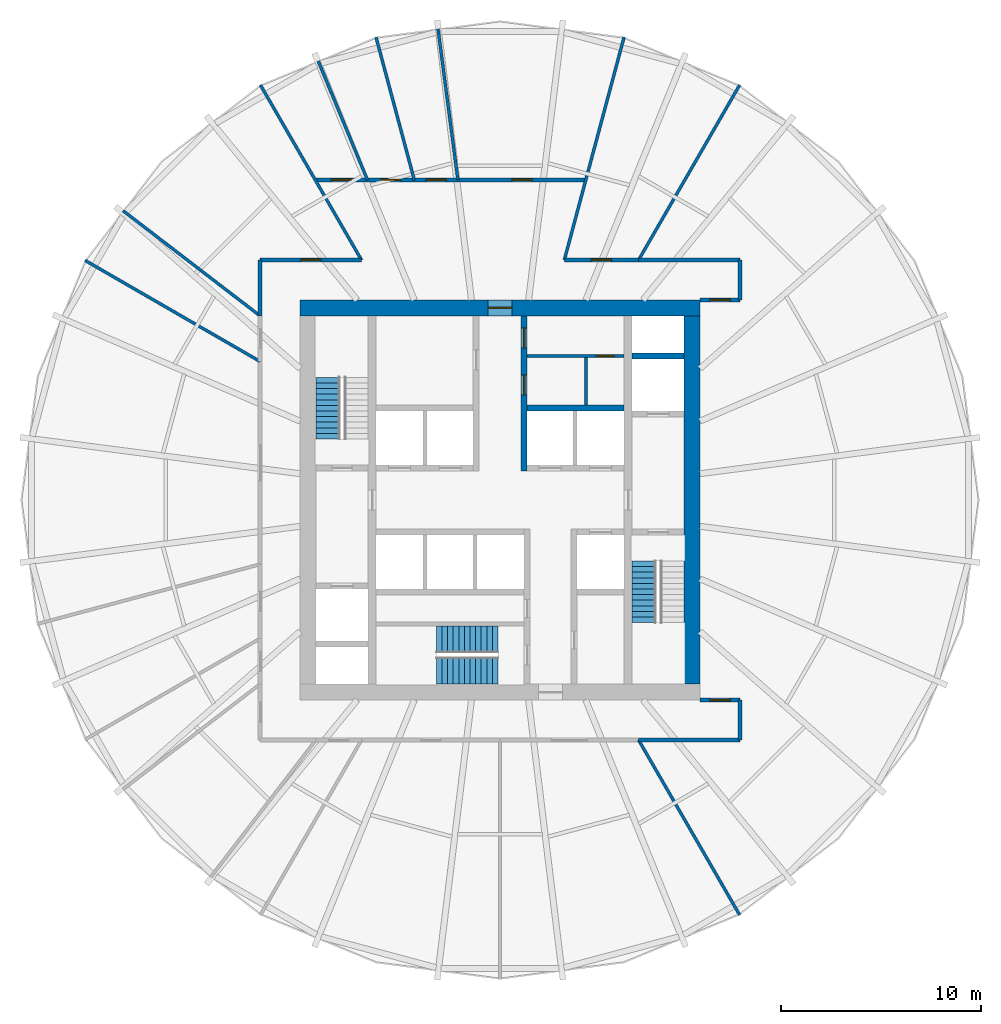
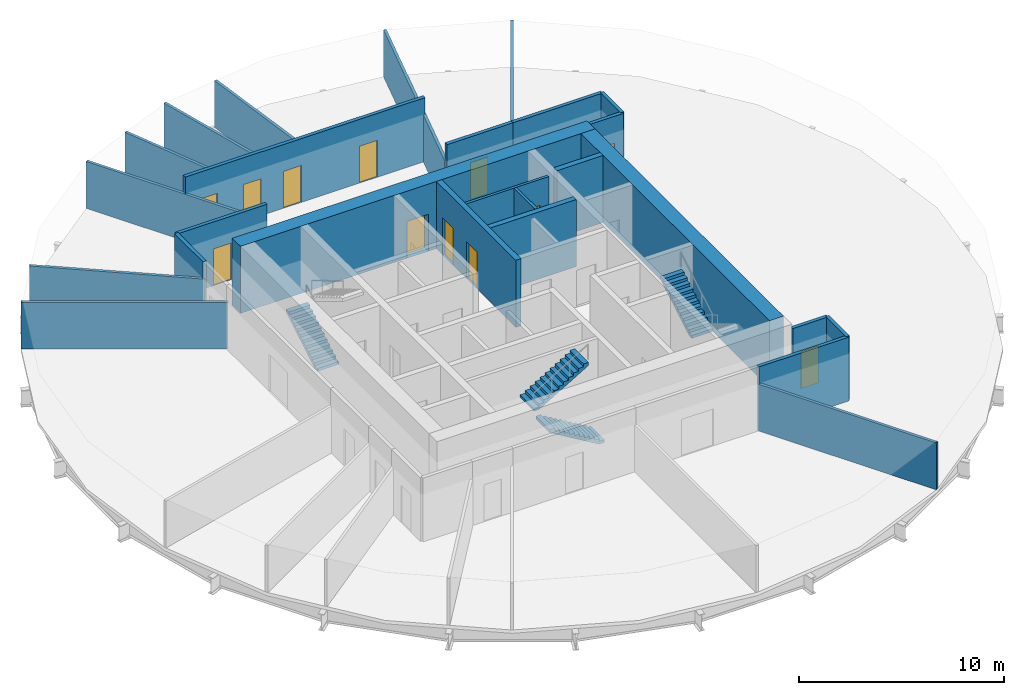
# One storey, part 4 of 6: 26 walls, 12 doors, 4 stair flights, 12 openings, 3 elements without a shape of their own.
"""IFC4 building model written with IfcOpenShell, lengths in metres."""

from ifc_helpers import new_model, si_unit, direction, frame, frame_2d, origin, place, context, subcontext, project, spatial, polyline, rectangle, outline, extrude, material, layer, layer_set, type_object, element, fill, aggregate, save


model = new_model("IFC4")

# Units and contexts
model_context = context("Model", 3, precision=1e-05, world=origin(), true_north=direction((0.0, 1.0)))
body_context = subcontext(model_context, "Body", "Model", "MODEL_VIEW")
ifc_project = project(units=[si_unit("LENGTHUNIT", "METRE"), si_unit("AREAUNIT", "SQUARE_METRE"), si_unit("VOLUMEUNIT", "CUBIC_METRE"), si_unit("PLANEANGLEUNIT", "RADIAN"), si_unit("MASSUNIT", "GRAM", prefix="KILO")], contexts=[model_context])

# Site, building, storey
site_placement = place(None, origin())
site = spatial("IfcSite", under=ifc_project, at=site_placement, CompositionType="ELEMENT")
building_placement = place(site_placement, origin())
building = spatial("IfcBuilding", under=site, at=building_placement, Name="Golbaran Civic Tower", CompositionType="ELEMENT")
storey_placement = place(building_placement, frame((0.0, 0.0, 77.0)))
storey = spatial("IfcBuildingStorey", under=building, at=storey_placement, Name="L18", CompositionType="ELEMENT", Elevation=77.0)

# Wall, opening, door
ifc_material_1 = material(Name="Concrete block", Category="concrete")
ifc_layer_1 = layer(ifc_material_1, 0.14990234375, Name="Concrete block")
ifc_layer_set_1 = layer_set([ifc_layer_1], Name="Concrete block")
wall_type_1 = type_object("IfcWallType", Name="BLOCKWORK PARTITION 150", PredefinedType="PARTITIONING", material=ifc_layer_set_1)
wall_1_placement = place(storey_placement, frame((1.35009765625, 7.199951171875, 0.0), z_axis=(0.0, 0.0, 1.0), x_axis=(1.0, 0.0, 0.0)))
wall_1 = element("IfcWall", 1, at=wall_1_placement, inside=storey, type_object=wall_type_1, Name="Toilet block partition TN1 L18", PredefinedType="PARTITIONING", context=body_context, shape_type="SweptSolid", body=[
    extrude(rectangle(XDim=4.849853515625, YDim=0.14990234375, at=frame_2d((2.4248046875, 0.0))), origin(), (0.0, 0.0, 1.0), 3.75),
])
opening_1_placement = place(wall_1_placement, frame((3.449951171875, 0.0, 0.0)))
opening_1 = element("IfcOpeningElement", 2, at=opening_1_placement, cuts=wall_1, Name="Opening L18.CLN", PredefinedType="OPENING", context=body_context, shape_type="SweptSolid", body=[
    extrude(rectangle(XDim=0.89990234375, YDim=2.199951171875, at=frame_2d((0.449951171875, 1.10009765625))), frame((0.0, 0.0849609375, 0.0), z_axis=(0.0, -1.0, 0.0), x_axis=(1.0, 0.0, 0.0)), (0.0, 0.0, 1.0), 0.169921875),
])
ifc_material_2 = material(Name="Timber door set in steel frame", Category="steel")
door_type_1 = type_object("IfcDoorType", Name="RISER DOOR 900x2200", OperationType="SINGLE_SWING_LEFT", PredefinedType="DOOR", material=ifc_material_2)
door_1_placement = place(opening_1_placement, origin())
door_1 = element("IfcDoor", 3, at=door_1_placement, inside=storey, type_object=door_type_1, Name="Housekeeping Store door", OperationType="SINGLE_SWING_RIGHT", OverallHeight=2.199951171875, OverallWidth=0.89990234375, PredefinedType="DOOR", context=body_context, shape_type="SweptSolid", body=[
    extrude(rectangle(XDim=0.89990234375, YDim=2.199951171875, at=frame_2d((0.449951171875, 1.10009765625))), frame((0.0, 0.02490234375, 0.0), z_axis=(0.0, -1.0, 0.0), x_axis=(1.0, 0.0, 0.0)), (0.0, 0.0, 1.0), 0.050048828125),
])
fill(opening_1, door_1)

# Wall
wall_2_placement = place(storey_placement, frame((4.300048828125, 4.75, 0.0), z_axis=(0.0, 0.0, 1.0), x_axis=(0.0, 1.0, 0.0)))
element("IfcWall", 4, at=wall_2_placement, inside=storey, type_object=wall_type_1, Name="Toilet block partition TN2 L18", PredefinedType="PARTITIONING", context=body_context, shape_type="SweptSolid", body=[
    extrude(rectangle(XDim=2.375, YDim=0.14990234375, at=frame_2d((1.1875, 0.0))), origin(), (0.0, 0.0, 1.0), 3.75),
])

# Wall, opening, door
ifc_material_3 = material(Name="Concrete C50/60", Category="concrete")
ifc_layer_2 = layer(ifc_material_3, 0.800048828125, Name="Concrete C50/60")
ifc_layer_set_2 = layer_set([ifc_layer_2], Name="Concrete C50/60")
wall_type_2 = type_object("IfcWallType", Name="CORE WALL CONCRETE 800", PredefinedType="SOLIDWALL", material=ifc_layer_set_2)
wall_3_placement = place(storey_placement, frame((-10.0, 9.60009765625, 0.0), z_axis=(0.0, 0.0, 1.0), x_axis=(1.0, 0.0, 0.0)))
wall_3 = element("IfcWall", 5, at=wall_3_placement, inside=storey, type_object=wall_type_2, Name="Core wall CN L18", PredefinedType="SOLIDWALL", context=body_context, shape_type="SweptSolid", body=[
    extrude(rectangle(XDim=20.0, YDim=0.800048828125, at=frame_2d((10.0, 0.0))), origin(), (0.0, 0.0, 1.0), 4.0),
])
opening_2_placement = place(wall_3_placement, frame((9.39990234375, 0.0, 0.0)))
opening_2 = element("IfcOpeningElement", 6, at=opening_2_placement, cuts=wall_3, Name="Opening L18.CN", PredefinedType="OPENING", context=body_context, shape_type="SweptSolid", body=[
    extrude(rectangle(XDim=1.199951171875, YDim=2.199951171875, at=frame_2d((0.60009765625, 1.10009765625))), frame((0.0, 0.409912109375, 0.0), z_axis=(0.0, -1.0, 0.0), x_axis=(1.0, 0.0, 0.0)), (0.0, 0.0, 1.0), 0.820068359375),
])
door_type_2 = type_object("IfcDoorType", Name="CORE DOOR 1200x2200", OperationType="DOUBLE_DOOR_SINGLE_SWING", PredefinedType="DOOR", material=ifc_material_2)
door_2_placement = place(opening_2_placement, origin())
door_2 = element("IfcDoor", 7, at=door_2_placement, inside=storey, type_object=door_type_2, Name="Core door north", OperationType="DOUBLE_DOOR_SINGLE_SWING", OverallHeight=2.199951171875, OverallWidth=1.199951171875, PredefinedType="DOOR", context=body_context, shape_type="SweptSolid", body=[
    extrude(rectangle(XDim=1.199951171875, YDim=2.199951171875, at=frame_2d((0.60009765625, 1.10009765625))), frame((0.0, 0.02490234375, 0.0), z_axis=(0.0, -1.0, 0.0), x_axis=(1.0, 0.0, 0.0)), (0.0, 0.0, 1.0), 0.050048828125),
])
fill(opening_2, door_2)

# Walls
wall_4_placement = place(storey_placement, frame((9.60009765625, -9.199951171875, 0.0), z_axis=(0.0, 0.0, 1.0), x_axis=(0.0, 1.0, 0.0)))
element("IfcWall", 8, at=wall_4_placement, inside=storey, type_object=wall_type_2, Name="Core wall CE L18", PredefinedType="SOLIDWALL", context=body_context, shape_type="SweptSolid", body=[
    extrude(rectangle(XDim=18.39990234375, YDim=0.800048828125, at=frame_2d((9.199951171875, 0.0))), origin(), (0.0, 0.0, 1.0), 4.0),
])
ifc_material_4 = material(Name="Gypsum board on steel studs, fire-rated", Category="steel")
ifc_layer_3 = layer(ifc_material_4, 0.199951171875, Name="Gypsum board on steel studs, fire-rated")
ifc_layer_set_3 = layer_set([ifc_layer_3], Name="Gypsum board on steel studs, fire-rated")
wall_type_3 = type_object("IfcWallType", Name="CORRIDOR WALL 200", PredefinedType="PARTITIONING", material=ifc_layer_set_3)
wall_5_placement = place(storey_placement, frame((12.0, 10.0, 0.0), z_axis=(0.0, 0.0, 1.0), x_axis=(0.0, 1.0, 0.0)))
element("IfcWall", 9, at=wall_5_placement, inside=storey, type_object=wall_type_3, Name="Corridor wall L18", PredefinedType="PARTITIONING", context=body_context, shape_type="SweptSolid", body=[
    extrude(rectangle(XDim=2.0, YDim=0.199951171875, at=frame_2d((1.0, 0.0))), origin(), (0.0, 0.0, 1.0), 3.800048828125),
])
wall_6_placement = place(storey_placement, frame((12.0, 12.0, 0.0), z_axis=(0.0, 0.0, 1.0), x_axis=(-1.0, 0.0, 0.0)))
element("IfcWall", 10, at=wall_6_placement, inside=storey, type_object=wall_type_3, Name="Corridor wall L18", PredefinedType="PARTITIONING", context=body_context, shape_type="SweptSolid", body=[
    extrude(rectangle(XDim=5.07177734375, YDim=0.199951171875, at=frame_2d((2.535888671875, 0.0))), origin(), (0.0, 0.0, 1.0), 3.800048828125),
])

# Wall, opening, door
wall_7_placement = place(storey_placement, frame((6.92822265625, 12.0, 0.0), z_axis=(0.0, 0.0, 1.0), x_axis=(-1.0, 0.0, 0.0)))
wall_7 = element("IfcWall", 11, at=wall_7_placement, inside=storey, type_object=wall_type_3, Name="Corridor wall L18", PredefinedType="PARTITIONING", context=body_context, shape_type="SweptSolid", body=[
    extrude(rectangle(XDim=3.712890625, YDim=0.199951171875, at=frame_2d((1.8564453125, 0.0))), origin(), (0.0, 0.0, 1.0), 3.800048828125),
])
opening_3_placement = place(wall_7_placement, frame((1.3564453125, 0.0, 0.0)))
opening_3 = element("IfcOpeningElement", 12, at=opening_3_placement, cuts=wall_7, Name="Opening L18.05", PredefinedType="OPENING", context=body_context, shape_type="SweptSolid", body=[
    extrude(rectangle(XDim=1.0, YDim=2.199951171875, at=frame_2d((0.5, 1.10009765625))), frame((0.0, 0.10986328125, 0.0), z_axis=(0.0, -1.0, 0.0), x_axis=(1.0, 0.0, 0.0)), (0.0, 0.0, 1.0), 0.219970703125),
])
door_type_3 = type_object("IfcDoorType", Name="OFFICE DOOR 1000x2200", OperationType="SINGLE_SWING_LEFT", PredefinedType="DOOR", material=ifc_material_2)
door_3_placement = place(opening_3_placement, origin())
door_3 = element("IfcDoor", 13, at=door_3_placement, inside=storey, type_object=door_type_3, Name="Meeting Room door L18", OperationType="SINGLE_SWING_RIGHT", OverallHeight=2.199951171875, OverallWidth=1.0, PredefinedType="DOOR", context=body_context, shape_type="SweptSolid", body=[
    extrude(rectangle(XDim=1.0, YDim=2.199951171875, at=frame_2d((0.5, 1.10009765625))), frame((0.0, 0.02490234375, 0.0), z_axis=(0.0, -1.0, 0.0), x_axis=(1.0, 0.0, 0.0)), (0.0, 0.0, 1.0), 0.050048828125),
])
fill(opening_3, door_3)

wall_8_placement = place(storey_placement, frame((-6.92822265625, 12.0, 0.0), z_axis=(0.0, 0.0, 1.0), x_axis=(-1.0, 0.0, 0.0)))
wall_8 = element("IfcWall", 14, at=wall_8_placement, inside=storey, type_object=wall_type_3, Name="Corridor wall L18", PredefinedType="PARTITIONING", context=body_context, shape_type="SweptSolid", body=[
    extrude(rectangle(XDim=5.07177734375, YDim=0.199951171875, at=frame_2d((2.535888671875, 0.0))), origin(), (0.0, 0.0, 1.0), 3.800048828125),
])
opening_4_placement = place(wall_8_placement, frame((2.035888671875, 0.0, 0.0)))
opening_4 = element("IfcOpeningElement", 15, at=opening_4_placement, cuts=wall_8, Name="Opening L18.06", PredefinedType="OPENING", context=body_context, shape_type="SweptSolid", body=[
    extrude(rectangle(XDim=1.0, YDim=2.199951171875, at=frame_2d((0.5, 1.10009765625))), frame((0.0, 0.10986328125, 0.0), z_axis=(0.0, -1.0, 0.0), x_axis=(1.0, 0.0, 0.0)), (0.0, 0.0, 1.0), 0.219970703125),
])
door_4_placement = place(opening_4_placement, origin())
door_4 = element("IfcDoor", 16, at=door_4_placement, inside=storey, type_object=door_type_3, Name="Print and Copy Room door L18", OperationType="SINGLE_SWING_RIGHT", OverallHeight=2.199951171875, OverallWidth=1.0, PredefinedType="DOOR", context=body_context, shape_type="SweptSolid", body=[
    extrude(rectangle(XDim=1.0, YDim=2.199951171875, at=frame_2d((0.5, 1.10009765625))), frame((0.0, 0.02490234375, 0.0), z_axis=(0.0, -1.0, 0.0), x_axis=(1.0, 0.0, 0.0)), (0.0, 0.0, 1.0), 0.050048828125),
])
fill(opening_4, door_4)

# Walls
wall_9_placement = place(storey_placement, frame((-12.0, 12.0, 0.0), z_axis=(0.0, 0.0, 1.0), x_axis=(0.0, -1.0, 0.0)))
element("IfcWall", 17, at=wall_9_placement, inside=storey, type_object=wall_type_3, Name="Corridor wall L18", PredefinedType="PARTITIONING", context=body_context, shape_type="SweptSolid", body=[
    extrude(rectangle(XDim=2.7919921875, YDim=0.199951171875, at=frame_2d((1.39599609375, 0.0))), origin(), (0.0, 0.0, 1.0), 3.800048828125),
])
wall_10_placement = place(storey_placement, frame((6.92822265625, -12.0, 0.0), z_axis=(0.0, 0.0, 1.0), x_axis=(1.0, 0.0, 0.0)))
element("IfcWall", 18, at=wall_10_placement, inside=storey, type_object=wall_type_3, Name="Corridor wall L18", PredefinedType="PARTITIONING", context=body_context, shape_type="SweptSolid", body=[
    extrude(rectangle(XDim=5.07177734375, YDim=0.199951171875, at=frame_2d((2.535888671875, 0.0))), origin(), (0.0, 0.0, 1.0), 3.800048828125),
])
wall_11_placement = place(storey_placement, frame((12.0, -12.0, 0.0), z_axis=(0.0, 0.0, 1.0), x_axis=(0.0, 1.0, 0.0)))
element("IfcWall", 19, at=wall_11_placement, inside=storey, type_object=wall_type_3, Name="Corridor wall L18", PredefinedType="PARTITIONING", context=body_context, shape_type="SweptSolid", body=[
    extrude(rectangle(XDim=2.0, YDim=0.199951171875, at=frame_2d((1.0, 0.0))), origin(), (0.0, 0.0, 1.0), 3.800048828125),
])

# Wall, opening, door
wall_12_placement = place(storey_placement, frame((10.0, 10.0, 0.0), z_axis=(0.0, 0.0, 1.0), x_axis=(1.0, 0.0, 0.0)))
wall_12 = element("IfcWall", 20, at=wall_12_placement, inside=storey, type_object=wall_type_3, Name="Corridor end wall L18", PredefinedType="PARTITIONING", context=body_context, shape_type="SweptSolid", body=[
    extrude(rectangle(XDim=2.0, YDim=0.199951171875, at=frame_2d((1.0, 0.0))), origin(), (0.0, 0.0, 1.0), 3.800048828125),
])
opening_5_placement = place(wall_12_placement, frame((0.5, 0.0, 0.0)))
opening_5 = element("IfcOpeningElement", 21, at=opening_5_placement, cuts=wall_12, Name="Opening L18.15", PredefinedType="OPENING", context=body_context, shape_type="SweptSolid", body=[
    extrude(rectangle(XDim=1.0, YDim=2.199951171875, at=frame_2d((0.5, 1.10009765625))), frame((0.0, 0.10986328125, 0.0), z_axis=(0.0, -1.0, 0.0), x_axis=(1.0, 0.0, 0.0)), (0.0, 0.0, 1.0), 0.219970703125),
])
door_5_placement = place(opening_5_placement, origin())
door_5 = element("IfcDoor", 22, at=door_5_placement, inside=storey, type_object=door_type_3, Name="Open Office door L18", OperationType="SINGLE_SWING_LEFT", OverallHeight=2.199951171875, OverallWidth=1.0, PredefinedType="DOOR", context=body_context, shape_type="SweptSolid", body=[
    extrude(rectangle(XDim=1.0, YDim=2.199951171875, at=frame_2d((0.5, 1.10009765625))), frame((0.0, 0.02490234375, 0.0), z_axis=(0.0, -1.0, 0.0), x_axis=(1.0, 0.0, 0.0)), (0.0, 0.0, 1.0), 0.050048828125),
])
fill(opening_5, door_5)

wall_13_placement = place(storey_placement, frame((10.0, -10.0, 0.0), z_axis=(0.0, 0.0, 1.0), x_axis=(1.0, 0.0, 0.0)))
wall_13 = element("IfcWall", 23, at=wall_13_placement, inside=storey, type_object=wall_type_3, Name="Corridor end wall L18", PredefinedType="PARTITIONING", context=body_context, shape_type="SweptSolid", body=[
    extrude(rectangle(XDim=2.0, YDim=0.199951171875, at=frame_2d((1.0, 0.0))), origin(), (0.0, 0.0, 1.0), 3.800048828125),
])
opening_6_placement = place(wall_13_placement, frame((0.5, 0.0, 0.0)))
opening_6 = element("IfcOpeningElement", 24, at=opening_6_placement, cuts=wall_13, Name="Opening L18.16", PredefinedType="OPENING", context=body_context, shape_type="SweptSolid", body=[
    extrude(rectangle(XDim=1.0, YDim=2.199951171875, at=frame_2d((0.5, 1.10009765625))), frame((0.0, 0.10986328125, 0.0), z_axis=(0.0, -1.0, 0.0), x_axis=(1.0, 0.0, 0.0)), (0.0, 0.0, 1.0), 0.219970703125),
])
door_6_placement = place(opening_6_placement, origin())
door_6 = element("IfcDoor", 25, at=door_6_placement, inside=storey, type_object=door_type_3, Name="Open Office door L18", OperationType="SINGLE_SWING_LEFT", OverallHeight=2.199951171875, OverallWidth=1.0, PredefinedType="DOOR", context=body_context, shape_type="SweptSolid", body=[
    extrude(rectangle(XDim=1.0, YDim=2.199951171875, at=frame_2d((0.5, 1.10009765625))), frame((0.0, 0.02490234375, 0.0), z_axis=(0.0, -1.0, 0.0), x_axis=(1.0, 0.0, 0.0)), (0.0, 0.0, 1.0), 0.050048828125),
])
fill(opening_6, door_6)

# Wall, openings, doors
ifc_material_5 = material(Name="Gypsum board on steel studs, fire-rated, glazed panels", Category="steel")
ifc_layer_4 = layer(ifc_material_5, 0.199951171875, Name="Gypsum board on steel studs, fire-rated, glazed panels")
ifc_layer_set_4 = layer_set([ifc_layer_4], Name="Gypsum board on steel studs, fire-rated, glazed panels")
wall_type_4 = type_object("IfcWallType", Name="GALLERY WALL 200", PredefinedType="PARTITIONING", material=ifc_layer_set_4)
wall_14_placement = place(storey_placement, frame((4.287109375, 16.0, 0.0), z_axis=(0.0, 0.0, 1.0), x_axis=(-1.0, 0.0, 0.0)))
wall_14 = element("IfcWall", 26, at=wall_14_placement, inside=storey, type_object=wall_type_4, Name="Gallery wall L18", PredefinedType="PARTITIONING", context=body_context, shape_type="SweptSolid", body=[
    extrude(rectangle(XDim=13.524658203125, YDim=0.199951171875, at=frame_2d((6.76220703125, 0.0))), origin(), (0.0, 0.0, 1.0), 3.800048828125),
])
opening_7_placement = place(wall_14_placement, frame((2.69677734375, 0.0, 0.0)))
opening_7 = element("IfcOpeningElement", 27, at=opening_7_placement, cuts=wall_14, Name="Opening L18.01", PredefinedType="OPENING", context=body_context, shape_type="SweptSolid", body=[
    extrude(rectangle(XDim=1.0, YDim=2.199951171875, at=frame_2d((0.5, 1.10009765625))), frame((0.0, 0.10986328125, 0.0), z_axis=(0.0, -1.0, 0.0), x_axis=(1.0, 0.0, 0.0)), (0.0, 0.0, 1.0), 0.219970703125),
])
opening_8_placement = place(wall_14_placement, frame((6.98388671875, 0.0, 0.0)))
opening_8 = element("IfcOpeningElement", 28, at=opening_8_placement, cuts=wall_14, Name="Opening L18.02", PredefinedType="OPENING", context=body_context, shape_type="SweptSolid", body=[
    extrude(rectangle(XDim=1.0, YDim=2.199951171875, at=frame_2d((0.5, 1.10009765625))), frame((0.0, 0.10986328125, 0.0), z_axis=(0.0, -1.0, 0.0), x_axis=(1.0, 0.0, 0.0)), (0.0, 0.0, 1.0), 0.219970703125),
])
opening_9_placement = place(wall_14_placement, frame((9.244384765625, 0.0, 0.0)))
opening_9 = element("IfcOpeningElement", 29, at=opening_9_placement, cuts=wall_14, Name="Opening L18.03", PredefinedType="OPENING", context=body_context, shape_type="SweptSolid", body=[
    extrude(rectangle(XDim=1.0, YDim=2.199951171875, at=frame_2d((0.5, 1.10009765625))), frame((0.0, 0.10986328125, 0.0), z_axis=(0.0, -1.0, 0.0), x_axis=(1.0, 0.0, 0.0)), (0.0, 0.0, 1.0), 0.219970703125),
])
opening_10_placement = place(wall_14_placement, frame((11.7197265625, 0.0, 0.0)))
opening_10 = element("IfcOpeningElement", 30, at=opening_10_placement, cuts=wall_14, Name="Opening L18.04", PredefinedType="OPENING", context=body_context, shape_type="SweptSolid", body=[
    extrude(rectangle(XDim=1.0, YDim=2.199951171875, at=frame_2d((0.5, 1.10009765625))), frame((0.0, 0.10986328125, 0.0), z_axis=(0.0, -1.0, 0.0), x_axis=(1.0, 0.0, 0.0)), (0.0, 0.0, 1.0), 0.219970703125),
])
door_7_placement = place(opening_7_placement, origin())
door_7 = element("IfcDoor", 31, at=door_7_placement, inside=storey, type_object=door_type_3, Name="Director's Office door L18", OperationType="SINGLE_SWING_LEFT", OverallHeight=2.199951171875, OverallWidth=1.0, PredefinedType="DOOR", context=body_context, shape_type="SweptSolid", body=[
    extrude(rectangle(XDim=1.0, YDim=2.199951171875, at=frame_2d((0.5, 1.10009765625))), frame((0.0, 0.02490234375, 0.0), z_axis=(0.0, -1.0, 0.0), x_axis=(1.0, 0.0, 0.0)), (0.0, 0.0, 1.0), 0.050048828125),
])
fill(opening_7, door_7)
door_8_placement = place(opening_8_placement, origin())
door_8 = element("IfcDoor", 32, at=door_8_placement, inside=storey, type_object=door_type_3, Name="Director's Office door L18", OperationType="SINGLE_SWING_RIGHT", OverallHeight=2.199951171875, OverallWidth=1.0, PredefinedType="DOOR", context=body_context, shape_type="SweptSolid", body=[
    extrude(rectangle(XDim=1.0, YDim=2.199951171875, at=frame_2d((0.5, 1.10009765625))), frame((0.0, 0.02490234375, 0.0), z_axis=(0.0, -1.0, 0.0), x_axis=(1.0, 0.0, 0.0)), (0.0, 0.0, 1.0), 0.050048828125),
])
fill(opening_8, door_8)
door_9_placement = place(opening_9_placement, origin())
door_9 = element("IfcDoor", 33, at=door_9_placement, inside=storey, type_object=door_type_3, Name="Director's Office door L18", OperationType="SINGLE_SWING_RIGHT", OverallHeight=2.199951171875, OverallWidth=1.0, PredefinedType="DOOR", context=body_context, shape_type="SweptSolid", body=[
    extrude(rectangle(XDim=1.0, YDim=2.199951171875, at=frame_2d((0.5, 1.10009765625))), frame((0.0, 0.02490234375, 0.0), z_axis=(0.0, -1.0, 0.0), x_axis=(1.0, 0.0, 0.0)), (0.0, 0.0, 1.0), 0.050048828125),
])
fill(opening_9, door_9)
door_10_placement = place(opening_10_placement, origin())
door_10 = element("IfcDoor", 34, at=door_10_placement, inside=storey, type_object=door_type_3, Name="Office door L18", OperationType="SINGLE_SWING_RIGHT", OverallHeight=2.199951171875, OverallWidth=1.0, PredefinedType="DOOR", context=body_context, shape_type="SweptSolid", body=[
    extrude(rectangle(XDim=1.0, YDim=2.199951171875, at=frame_2d((0.5, 1.10009765625))), frame((0.0, 0.02490234375, 0.0), z_axis=(0.0, -1.0, 0.0), x_axis=(1.0, 0.0, 0.0)), (0.0, 0.0, 1.0), 0.050048828125),
])
fill(opening_10, door_10)

# Walls
ifc_material_6 = material(Name="Gypsum board on steel studs", Category="steel")
ifc_layer_5 = layer(ifc_material_6, 0.14990234375, Name="Gypsum board on steel studs")
ifc_layer_set_5 = layer_set([ifc_layer_5], Name="Gypsum board on steel studs")
wall_type_5 = type_object("IfcWallType", Name="OFFICE PARTITION 150", PredefinedType="PARTITIONING", material=ifc_layer_set_5)
wall_15_placement = place(storey_placement, frame((6.92822265625, 12.0, 0.0), z_axis=(0.0, 0.0, 1.0), x_axis=(0.500002673408, 0.866023860286, 0.0)))
element("IfcWall", 35, at=wall_15_placement, inside=storey, type_object=wall_type_5, Name="Partition 60 L18", PredefinedType="PARTITIONING", context=body_context, shape_type="SweptSolid", body=[
    extrude(rectangle(XDim=10.10595703125, YDim=0.14990234375, at=frame_2d((5.052978515625, 0.0))), origin(), (0.0, 0.0, 1.0), 2.7900390625),
])
wall_16_placement = place(storey_placement, frame((3.21533203125, 12.0, 0.0), z_axis=(0.0, 0.0, 1.0), x_axis=(0.258825273624, 0.96592415734, 0.0)))
element("IfcWall", 36, at=wall_16_placement, inside=storey, type_object=wall_type_5, Name="Partition 75 L18", PredefinedType="PARTITIONING", context=body_context, shape_type="SweptSolid", body=[
    extrude(rectangle(XDim=11.5390625, YDim=0.14990234375, at=frame_2d((5.76953125, 0.0))), origin(), (0.0, 0.0, 1.0), 2.7900390625),
])
wall_17_placement = place(storey_placement, frame((-6.92822265625, 12.0, 0.0), z_axis=(0.0, 0.0, 1.0), x_axis=(-0.500002673408, 0.866023860286, 0.0)))
element("IfcWall", 37, at=wall_17_placement, inside=storey, type_object=wall_type_5, Name="Partition 120 L18", PredefinedType="PARTITIONING", context=body_context, shape_type="SweptSolid", body=[
    extrude(rectangle(XDim=10.10595703125, YDim=0.14990234375, at=frame_2d((5.052978515625, 0.0))), origin(), (0.0, 0.0, 1.0), 2.7900390625),
])
wall_18_placement = place(storey_placement, frame((-12.0, 9.2080078125, 0.0), z_axis=(0.0, 0.0, 1.0), x_axis=(-0.793363649613, 0.608747993403, 0.0)))
element("IfcWall", 38, at=wall_18_placement, inside=storey, type_object=wall_type_5, Name="Partition 142.5 L18", PredefinedType="PARTITIONING", context=body_context, shape_type="SweptSolid", body=[
    extrude(rectangle(XDim=8.631591796875, YDim=0.14990234375, at=frame_2d((4.31591796875, 0.0))), origin(), (0.0, 0.0, 1.0), 2.7900390625),
])
for number, where, z_axis, x_axis, name in (
    (39, (-12.0, 6.92822265625, 0.0), (0.0, 0.0, 1.0), (-0.866023860286, 0.500002673408, 0.0), "Partition 150 L18"),
    (40, (6.92822265625, -12.0, 0.0), (0.0, 0.0, 1.0), (0.500002673408, -0.866023860286, 0.0), "Partition 300 L18"),
):
    element("IfcWall", number, at=place(storey_placement, frame(where, z_axis=z_axis, x_axis=x_axis)), inside=storey, type_object=wall_type_5, Name=name, PredefinedType="PARTITIONING", context=body_context, shape_type="SweptSolid", body=[
        extrude(rectangle(XDim=10.10595703125, YDim=0.14990234375, at=frame_2d((5.052978515625, 0.0))), origin(), (0.0, 0.0, 1.0), 2.7900390625),
    ])
wall_19_placement = place(storey_placement, frame((-2.1064453125, 16.0, 0.0), z_axis=(0.0, 0.0, 1.0), x_axis=(-0.130511705759, 0.991446768445, 0.0)))
element("IfcWall", 41, at=wall_19_placement, inside=storey, type_object=wall_type_5, Name="Partition 97.5 L18", PredefinedType="PARTITIONING", context=body_context, shape_type="SweptSolid", body=[
    extrude(rectangle(XDim=7.619140625, YDim=0.14990234375, at=frame_2d((3.8095703125, 0.0))), origin(), (0.0, 0.0, 1.0), 2.7900390625),
])
wall_20_placement = place(storey_placement, frame((-4.287109375, 16.0, 0.0), z_axis=(0.0, 0.0, 1.0), x_axis=(-0.258831210147, 0.965922566593, 0.0)))
element("IfcWall", 42, at=wall_20_placement, inside=storey, type_object=wall_type_5, Name="Partition 105 L18", PredefinedType="PARTITIONING", context=body_context, shape_type="SweptSolid", body=[
    extrude(rectangle(XDim=7.39794921875, YDim=0.14990234375, at=frame_2d((3.698974609375, 0.0))), origin(), (0.0, 0.0, 1.0), 2.7900390625),
])
wall_21_placement = place(storey_placement, frame((-6.62744140625, 16.0, 0.0), z_axis=(0.0, 0.0, 1.0), x_axis=(-0.382692246291, 0.923875881614, 0.0)))
element("IfcWall", 43, at=wall_21_placement, inside=storey, type_object=wall_type_5, Name="Partition 112.5 L18", PredefinedType="PARTITIONING", context=body_context, shape_type="SweptSolid", body=[
    extrude(rectangle(XDim=6.43896484375, YDim=0.14990234375, at=frame_2d((3.219482421875, 0.0))), origin(), (0.0, 0.0, 1.0), 2.7900390625),
])
ifc_layer_6 = layer(ifc_material_3, 0.300048828125, Name="Concrete C50/60")
ifc_layer_set_6 = layer_set([ifc_layer_6], Name="Concrete C50/60")
wall_type_6 = type_object("IfcWallType", Name="SHAFT WALL CONCRETE 300", PredefinedType="SOLIDWALL", material=ifc_layer_set_6)
wall_22_placement = place(storey_placement, frame((1.35009765625, 4.60009765625, 0.0), z_axis=(0.0, 0.0, 1.0), x_axis=(1.0, 0.0, 0.0)))
element("IfcWall", 44, at=wall_22_placement, inside=storey, type_object=wall_type_6, Name="Core wall BNE L18", PredefinedType="SOLIDWALL", context=body_context, shape_type="SweptSolid", body=[
    extrude(rectangle(XDim=4.849853515625, YDim=0.300048828125, at=frame_2d((2.4248046875, 0.0))), origin(), (0.0, 0.0, 1.0), 4.0),
])

# Wall, openings, doors
wall_23_placement = place(storey_placement, frame((1.199951171875, 1.449951171875, 0.0), z_axis=(0.0, 0.0, 1.0), x_axis=(0.0, 1.0, 0.0)))
wall_23 = element("IfcWall", 45, at=wall_23_placement, inside=storey, type_object=wall_type_6, Name="Core wall PNE L18", PredefinedType="SOLIDWALL", context=body_context, shape_type="SweptSolid", body=[
    extrude(rectangle(XDim=7.75, YDim=0.300048828125, at=frame_2d((3.875, 0.0))), origin(), (0.0, 0.0, 1.0), 4.0),
])
opening_11_placement = place(wall_23_placement, frame((3.800048828125, 0.0, 0.0)))
opening_11 = element("IfcOpeningElement", 46, at=opening_11_placement, cuts=wall_23, Name="Opening L18.WCA", PredefinedType="OPENING", context=body_context, shape_type="SweptSolid", body=[
    extrude(rectangle(XDim=1.0, YDim=2.199951171875, at=frame_2d((0.5, 1.10009765625))), frame((0.0, 0.159912109375, 0.0), z_axis=(0.0, -1.0, 0.0), x_axis=(1.0, 0.0, 0.0)), (0.0, 0.0, 1.0), 0.320068359375),
])
opening_12_placement = place(wall_23_placement, frame((6.14990234375, 0.0, 0.0)))
opening_12 = element("IfcOpeningElement", 47, at=opening_12_placement, cuts=wall_23, Name="Opening L18.WCF", PredefinedType="OPENING", context=body_context, shape_type="SweptSolid", body=[
    extrude(rectangle(XDim=1.0, YDim=2.199951171875, at=frame_2d((0.5, 1.10009765625))), frame((0.0, 0.159912109375, 0.0), z_axis=(0.0, -1.0, 0.0), x_axis=(1.0, 0.0, 0.0)), (0.0, 0.0, 1.0), 0.320068359375),
])
door_type_4 = type_object("IfcDoorType", Name="TOILET DOOR 1000x2200", OperationType="SINGLE_SWING_LEFT", PredefinedType="DOOR", material=ifc_material_2)
door_11_placement = place(opening_11_placement, origin())
door_11 = element("IfcDoor", 48, at=door_11_placement, inside=storey, type_object=door_type_4, Name="Accessible WC door", OperationType="SINGLE_SWING_RIGHT", OverallHeight=2.199951171875, OverallWidth=1.0, PredefinedType="DOOR", context=body_context, shape_type="SweptSolid", body=[
    extrude(rectangle(XDim=1.0, YDim=2.199951171875, at=frame_2d((0.5, 1.10009765625))), frame((0.0, 0.02490234375, 0.0), z_axis=(0.0, -1.0, 0.0), x_axis=(1.0, 0.0, 0.0)), (0.0, 0.0, 1.0), 0.050048828125),
])
fill(opening_11, door_11)
door_12_placement = place(opening_12_placement, origin())
door_12 = element("IfcDoor", 49, at=door_12_placement, inside=storey, type_object=door_type_4, Name="North-east toilet block door", OperationType="SINGLE_SWING_RIGHT", OverallHeight=2.199951171875, OverallWidth=1.0, PredefinedType="DOOR", context=body_context, shape_type="SweptSolid", body=[
    extrude(rectangle(XDim=1.0, YDim=2.199951171875, at=frame_2d((0.5, 1.10009765625))), frame((0.0, 0.02490234375, 0.0), z_axis=(0.0, -1.0, 0.0), x_axis=(1.0, 0.0, 0.0)), (0.0, 0.0, 1.0), 0.050048828125),
])
fill(opening_12, door_12)

# Wall
wall_24_placement = place(storey_placement, frame((6.60009765625, 7.199951171875, 0.0), z_axis=(0.0, 0.0, 1.0), x_axis=(1.0, 0.0, 0.0)))
element("IfcWall", 50, at=wall_24_placement, inside=storey, type_object=wall_type_6, Name="Core wall XE3 L18", PredefinedType="SOLIDWALL", context=body_context, shape_type="SweptSolid", body=[
    extrude(rectangle(XDim=2.599853515625, YDim=0.300048828125, at=frame_2d((1.2998046875, 0.0))), origin(), (0.0, 0.0, 1.0), 4.0),
])

# Stair, stair flight
ifc_material_7 = material(Name="Concrete C35/45", Category="concrete")
stair_type_1 = type_object("IfcStairType", Name="EXIT STAIR 2600 x 7450, 4000 RISE", PredefinedType="HALF_TURN_STAIR", material=ifc_material_7)
stair_1_placement = place(storey_placement, origin())
stair_1 = element("IfcStair", 51, at=stair_1_placement, inside=storey, type_object=stair_type_1, Name="Stair S1 L18", PredefinedType="HALF_TURN_STAIR")
stair_flight_type_1 = type_object("IfcStairFlightType", Name="STAIR FLIGHT 1200 WIDE", PredefinedType="STRAIGHT", material=ifc_material_7)
stair_flight_1_placement = place(storey_placement, frame((-8.60009765625, 3.050048828125, 0.0), z_axis=(0.0, 0.0, 1.0), x_axis=(0.0, 1.0, 0.0)))
stair_flight_1 = element("IfcStairFlight", 52, at=stair_flight_1_placement, type_object=stair_flight_type_1, Name="ST26074-40 flight 1", NumberOfRisers=12, NumberOfTreads=11, PredefinedType="STRAIGHT", RiserHeight=0.166666667, TreadLength=0.28, context=body_context, shape_type="SweptSolid", body=[
    extrude(outline(polyline([(0.0, 0.0), (0.0, 0.166748046875), (0.280029296875, 0.166748046875), (0.280029296875, 0.333251953125), (0.56005859375, 0.333251953125), (0.56005859375, 0.5), (0.840087890625, 0.5), (0.840087890625, 0.666748046875), (1.1201171875, 0.666748046875), (1.1201171875, 0.833251953125), (1.39990234375, 0.833251953125), (1.39990234375, 1.0), (1.679931640625, 1.0), (1.679931640625, 1.166748046875), (1.9599609375, 1.166748046875), (1.9599609375, 1.333251953125), (2.239990234375, 1.333251953125), (2.239990234375, 1.5), (2.52001953125, 1.5), (2.52001953125, 1.666748046875), (2.800048828125, 1.666748046875), (2.800048828125, 1.833251953125), (3.080078125, 1.833251953125), (3.080078125, 2.0), (3.080078125, 1.658935546875), (0.29296875, 0.0), (0.0, 0.0)])), frame((0.0, 0.60009765625, 0.0), z_axis=(0.0, -1.0, 0.0), x_axis=(1.0, 0.0, 0.0)), (0.0, 0.0, 1.0), 1.199951171875),
])
aggregate(stair_1, [stair_flight_1])

stair_2_placement = place(storey_placement, origin())
stair_2 = element("IfcStair", 53, at=stair_2_placement, inside=storey, type_object=stair_type_1, Name="Stair S2 L18", PredefinedType="HALF_TURN_STAIR")
stair_flight_2_placement = place(storey_placement, frame((7.199951171875, -6.1298828125, 2.0), z_axis=(0.0, 0.0, 1.0), x_axis=(0.0, 1.0, 0.0)))
stair_flight_2 = element("IfcStairFlight", 54, at=stair_flight_2_placement, type_object=stair_flight_type_1, Name="ST26074-40 flight 2", NumberOfRisers=12, NumberOfTreads=11, PredefinedType="STRAIGHT", RiserHeight=0.166666667, TreadLength=0.28, context=body_context, shape_type="SweptSolid", body=[
    extrude(outline(polyline([(0.0, 0.0), (0.0, 0.166748046875), (0.280029296875, 0.166748046875), (0.280029296875, 0.333251953125), (0.56005859375, 0.333251953125), (0.56005859375, 0.5), (0.840087890625, 0.5), (0.840087890625, 0.666748046875), (1.1201171875, 0.666748046875), (1.1201171875, 0.833251953125), (1.39990234375, 0.833251953125), (1.39990234375, 1.0), (1.679931640625, 1.0), (1.679931640625, 1.166748046875), (1.9599609375, 1.166748046875), (1.9599609375, 1.333251953125), (2.239990234375, 1.333251953125), (2.239990234375, 1.5), (2.52001953125, 1.5), (2.52001953125, 1.666748046875), (2.800048828125, 1.666748046875), (2.800048828125, 1.833251953125), (3.080078125, 1.833251953125), (3.080078125, 2.0), (3.080078125, 1.658935546875), (0.29296875, 0.0), (0.0, 0.0)])), frame((0.0, 0.60009765625, 0.0), z_axis=(0.0, -1.0, 0.0), x_axis=(1.0, 0.0, 0.0)), (0.0, 0.0, 1.0), 1.199951171875),
])
aggregate(stair_2, [stair_flight_2])

# Stair, stair flights
stair_type_2 = type_object("IfcStairType", Name="EXIT STAIR 2900 x 7400, 4000 RISE", PredefinedType="HALF_TURN_STAIR", material=ifc_material_7)
stair_3_placement = place(storey_placement, origin())
stair_3 = element("IfcStair", 55, at=stair_3_placement, inside=storey, type_object=stair_type_2, Name="Stair S3 L18", PredefinedType="HALF_TURN_STAIR")
stair_flight_type_2 = type_object("IfcStairFlightType", Name="STAIR FLIGHT 1350 WIDE", PredefinedType="STRAIGHT", material=ifc_material_7)
stair_flight_3_placement = place(storey_placement, frame((-0.10009765625, -8.52490234375, 0.0), z_axis=(0.0, 0.0, 1.0), x_axis=(-1.0, 0.0, 0.0)))
stair_flight_3 = element("IfcStairFlight", 56, at=stair_flight_3_placement, type_object=stair_flight_type_2, Name="ST29074-40 flight 1", NumberOfRisers=12, NumberOfTreads=11, PredefinedType="STRAIGHT", RiserHeight=0.166666667, TreadLength=0.28, context=body_context, shape_type="SweptSolid", body=[
    extrude(outline(polyline([(0.0, 0.0), (0.0, 0.166748046875), (0.280029296875, 0.166748046875), (0.280029296875, 0.333251953125), (0.56005859375, 0.333251953125), (0.56005859375, 0.5), (0.840087890625, 0.5), (0.840087890625, 0.666748046875), (1.1201171875, 0.666748046875), (1.1201171875, 0.833251953125), (1.39990234375, 0.833251953125), (1.39990234375, 1.0), (1.679931640625, 1.0), (1.679931640625, 1.166748046875), (1.9599609375, 1.166748046875), (1.9599609375, 1.333251953125), (2.239990234375, 1.333251953125), (2.239990234375, 1.5), (2.52001953125, 1.5), (2.52001953125, 1.666748046875), (2.800048828125, 1.666748046875), (2.800048828125, 1.833251953125), (3.080078125, 1.833251953125), (3.080078125, 2.0), (3.080078125, 1.658935546875), (0.29296875, 0.0), (0.0, 0.0)])), frame((0.0, 0.675048828125, 0.0), z_axis=(0.0, -1.0, 0.0), x_axis=(1.0, 0.0, 0.0)), (0.0, 0.0, 1.0), 1.35009765625),
])
stair_flight_4_placement = place(storey_placement, frame((-3.179931640625, -6.97509765625, 2.0), z_axis=(0.0, 0.0, 1.0), x_axis=(1.0, 0.0, 0.0)))
stair_flight_4 = element("IfcStairFlight", 57, at=stair_flight_4_placement, type_object=stair_flight_type_2, Name="ST29074-40 flight 2", NumberOfRisers=12, NumberOfTreads=11, PredefinedType="STRAIGHT", RiserHeight=0.166666667, TreadLength=0.28, context=body_context, shape_type="SweptSolid", body=[
    extrude(outline(polyline([(0.0, 0.0), (0.0, 0.166748046875), (0.280029296875, 0.166748046875), (0.280029296875, 0.333251953125), (0.56005859375, 0.333251953125), (0.56005859375, 0.5), (0.840087890625, 0.5), (0.840087890625, 0.666748046875), (1.1201171875, 0.666748046875), (1.1201171875, 0.833251953125), (1.39990234375, 0.833251953125), (1.39990234375, 1.0), (1.679931640625, 1.0), (1.679931640625, 1.166748046875), (1.9599609375, 1.166748046875), (1.9599609375, 1.333251953125), (2.239990234375, 1.333251953125), (2.239990234375, 1.5), (2.52001953125, 1.5), (2.52001953125, 1.666748046875), (2.800048828125, 1.666748046875), (2.800048828125, 1.833251953125), (3.080078125, 1.833251953125), (3.080078125, 2.0), (3.080078125, 1.658935546875), (0.29296875, 0.0), (0.0, 0.0)])), frame((0.0, 0.675048828125, 0.0), z_axis=(0.0, -1.0, 0.0), x_axis=(1.0, 0.0, 0.0)), (0.0, 0.0, 1.0), 1.35009765625),
])
aggregate(stair_3, [stair_flight_3, stair_flight_4])

save(model, "model.ifc")
